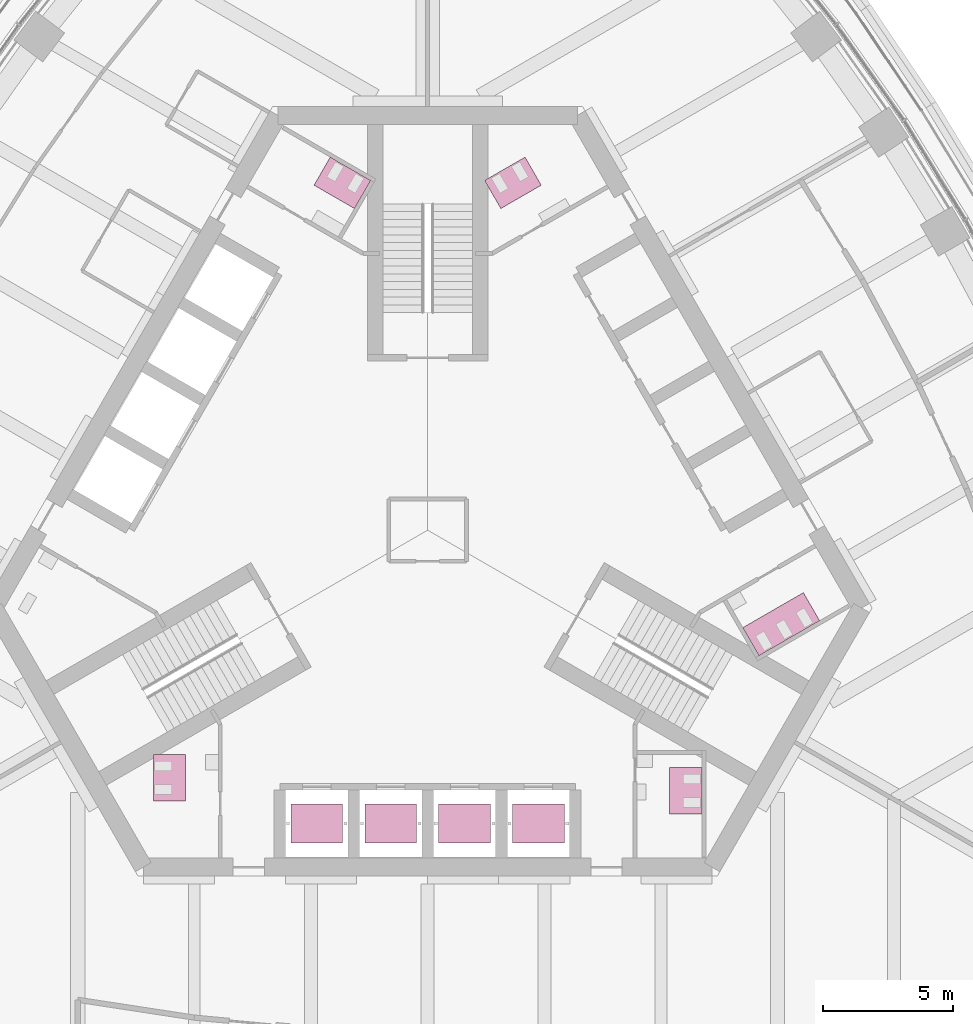
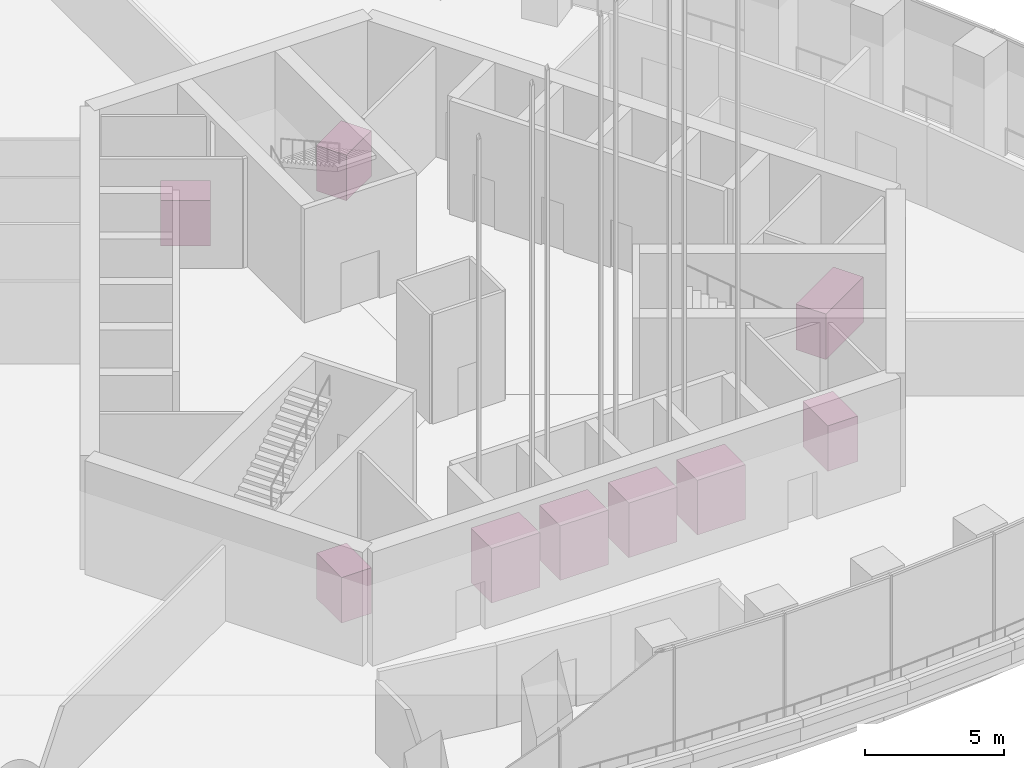
# One storey, part 18 of 26: 5 furniture elements, 4 transport elements.
"""IFC4 building model written with IfcOpenShell, lengths in metres."""

from ifc_helpers import new_model, si_unit, direction, frame, origin, origin_2d, place, context, subcontext, project, spatial, polyline, rectangle, outline, extrude, material, type_object, element, save


model = new_model("IFC4")

# Units and contexts
model_context = context("Model", 3, precision=1e-05, world=origin(), true_north=direction((0.0, 1.0)))
body_context = subcontext(model_context, "Body", "Model", "MODEL_VIEW")
ifc_project = project(units=[si_unit("LENGTHUNIT", "METRE"), si_unit("AREAUNIT", "SQUARE_METRE"), si_unit("VOLUMEUNIT", "CUBIC_METRE"), si_unit("PLANEANGLEUNIT", "RADIAN"), si_unit("MASSUNIT", "GRAM", prefix="KILO")], contexts=[model_context])

# Site, building, storey
site_placement = place(None, origin())
site = spatial("IfcSite", under=ifc_project, at=site_placement, CompositionType="ELEMENT")
building_placement = place(site_placement, origin())
building = spatial("IfcBuilding", under=site, at=building_placement, Name="Trefoil Bronze Tower", CompositionType="ELEMENT")
storey_placement = place(building_placement, frame((0.0, 0.0, 271.300048828125)))
storey = spatial("IfcBuildingStorey", under=building, at=storey_placement, Name="L62", CompositionType="ELEMENT", Elevation=271.300048828125)

# Transport elements
ifc_material_1 = material(Name="Lift car", Category="steel")
transport_element_type = type_object("IfcTransportElementType", Name="Passenger lift 1275", PredefinedType="ELEVATOR", material=ifc_material_1)
for number, where, z_axis, x_axis, name in (
    (1, (-4.27490234375, -11.3125, 0.0), (0.0, 0.0, 1.0), (1.0, 0.0, 0.0), "Lift P41"),
    (2, (-1.425048828125, -11.3125, 0.0), (0.0, 0.0, 1.0), (1.0, 0.0, 0.0), "Lift P42"),
    (3, (1.425048828125, -11.3125, 0.0), (0.0, 0.0, 1.0), (1.0, 0.0, 0.0), "Lift P43"),
    (4, (4.27490234375, -11.3125, 0.0), (0.0, 0.0, 1.0), (1.0, 0.0, 0.0), "Lift P44"),
):
    element("IfcTransportElement", number, at=place(storey_placement, frame(where, z_axis=z_axis, x_axis=x_axis)), inside=storey, type_object=transport_element_type, Name=name, PredefinedType="ELEVATOR", context=body_context, shape_type="SweptSolid", body=[
        extrude(rectangle(XDim=2.0, YDim=1.5, at=origin_2d()), origin(), (0.0, 0.0, 1.0), 2.39990234375),
    ])

# Furniture
ifc_material_2 = material(Name="Compact laminate cubicles", Category="plastic")
furniture_type_1 = type_object("IfcFurnitureType", Name="WC cubicle range 2 cubicles", AssemblyPlace="FACTORY", PredefinedType="USERDEFINED", material=ifc_material_2)
furniture_1_placement = place(storey_placement, origin())
element("IfcFurniture", 5, at=furniture_1_placement, inside=storey, type_object=furniture_type_1, Name="WC cubicle range WC (men) L62", ObjectType="WC cubicle range", PredefinedType="USERDEFINED", context=body_context, shape_type="SweptSolid", body=[
    extrude(outline(polyline([(9.3349609375, -9.14990234375), (10.5849609375, -9.14990234375), (10.5849609375, -10.949951171875), (9.3349609375, -10.949951171875), (9.3349609375, -9.14990234375)])), origin(), (0.0, 0.0, 1.0), 2.0),
])
furniture_2_placement = place(storey_placement, origin())
element("IfcFurniture", 6, at=furniture_2_placement, inside=storey, type_object=furniture_type_1, Name="WC cubicle range WC (men) L62", ObjectType="WC cubicle range", PredefinedType="USERDEFINED", context=body_context, shape_type="SweptSolid", body=[
    extrude(outline(polyline([(2.82373046875, 12.409423828125), (2.19873046875, 13.491943359375), (3.757568359375, 14.391845703125), (4.382568359375, 13.309326171875), (2.82373046875, 12.409423828125)])), origin(), (0.0, 0.0, 1.0), 2.0),
])
furniture_3_placement = place(storey_placement, origin())
element("IfcFurniture", 7, at=furniture_3_placement, inside=storey, type_object=furniture_type_1, Name="WC cubicle range WC (women) L62", ObjectType="WC cubicle range", PredefinedType="USERDEFINED", context=body_context, shape_type="SweptSolid", body=[
    extrude(outline(polyline([(-2.82373046875, 12.409423828125), (-2.19873046875, 13.491943359375), (-3.757568359375, 14.391845703125), (-4.382568359375, 13.309326171875), (-2.82373046875, 12.409423828125)])), origin(), (0.0, 0.0, 1.0), 2.0),
])
furniture_4_placement = place(storey_placement, origin())
element("IfcFurniture", 8, at=furniture_4_placement, inside=storey, type_object=furniture_type_1, Name="WC cubicle range WC (women) L62", ObjectType="WC cubicle range", PredefinedType="USERDEFINED", context=body_context, shape_type="SweptSolid", body=[
    extrude(outline(polyline([(-9.3349609375, -8.64990234375), (-10.5849609375, -8.64990234375), (-10.5849609375, -10.449951171875), (-9.3349609375, -10.449951171875), (-9.3349609375, -8.64990234375)])), origin(), (0.0, 0.0, 1.0), 2.0),
])
ifc_material_3 = material(Name="Compact laminate cubicles", Category="plastic")
furniture_type_2 = type_object("IfcFurnitureType", Name="WC cubicle range 3 cubicles", AssemblyPlace="FACTORY", PredefinedType="USERDEFINED", material=ifc_material_3)
furniture_5_placement = place(storey_placement, origin())
element("IfcFurniture", 9, at=furniture_5_placement, inside=storey, type_object=furniture_type_2, Name="WC cubicle range WC (women) L62", ObjectType="WC cubicle range", PredefinedType="USERDEFINED", context=body_context, shape_type="SweptSolid", body=[
    extrude(outline(polyline([(12.15869140625, -3.75927734375), (12.78369140625, -4.841796875), (15.121826171875, -3.491943359375), (14.496826171875, -2.409423828125), (12.15869140625, -3.75927734375)])), origin(), (0.0, 0.0, 1.0), 2.0),
])

save(model, "model.ifc")
